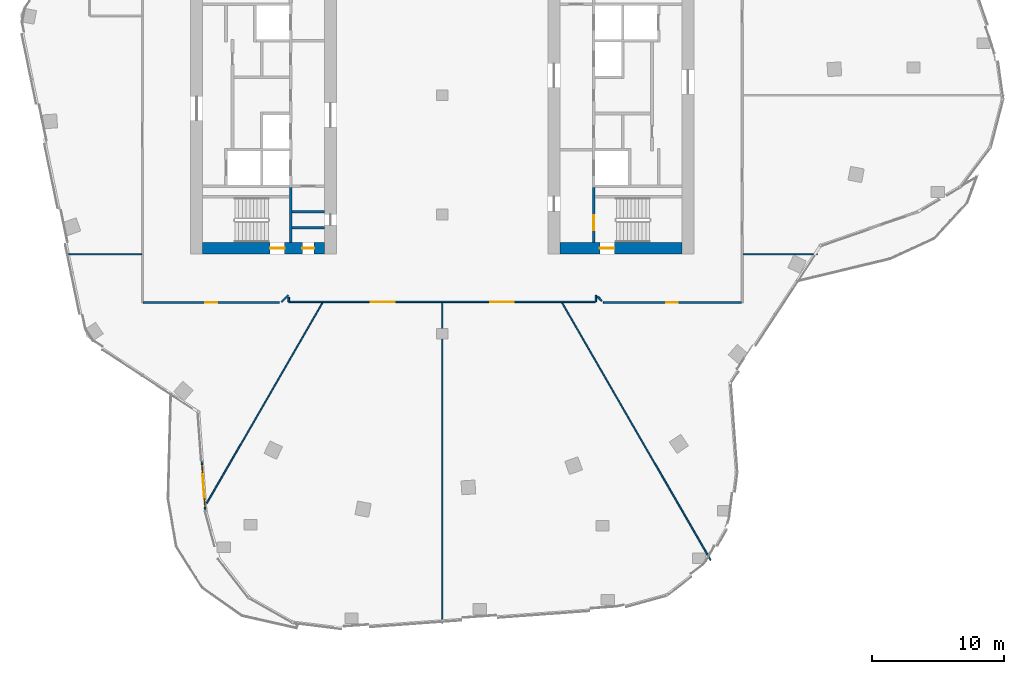
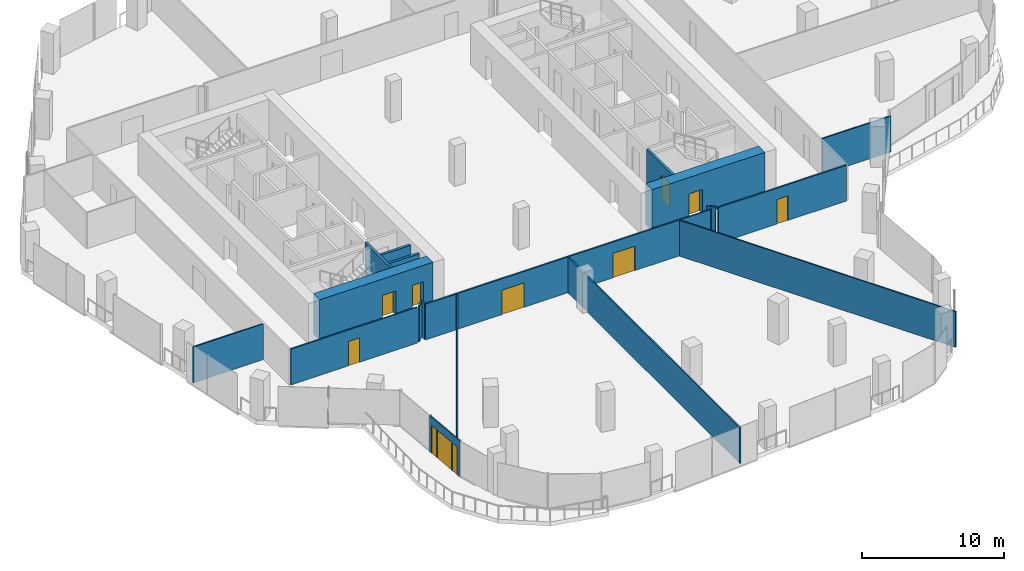
# One storey, part 17 of 26: 19 walls, 9 doors, 2 windows, 11 openings.
"""IFC4 building model written with IfcOpenShell, lengths in metres."""

from ifc_helpers import new_model, si_unit, direction, frame, frame_2d, origin, place, context, subcontext, project, spatial, rectangle, extrude, material, layer, layer_set, type_object, element, fill, save


model = new_model("IFC4")

# Units and contexts
model_context = context("Model", 3, precision=1e-05, world=origin(), true_north=direction((0.0, 1.0)))
body_context = subcontext(model_context, "Body", "Model", "MODEL_VIEW")
ifc_project = project(units=[si_unit("LENGTHUNIT", "METRE"), si_unit("AREAUNIT", "SQUARE_METRE"), si_unit("VOLUMEUNIT", "CUBIC_METRE"), si_unit("PLANEANGLEUNIT", "RADIAN"), si_unit("MASSUNIT", "GRAM", prefix="KILO")], contexts=[model_context])

# Site, building, storey
site_placement = place(None, origin())
site = spatial("IfcSite", under=ifc_project, at=site_placement, CompositionType="ELEMENT")
building_placement = place(site_placement, origin())
building = spatial("IfcBuilding", under=site, at=building_placement, Name="Orlundy Tower", CompositionType="ELEMENT")
storey_placement = place(building_placement, frame((0.0, 0.0, 232.0)))
storey = spatial("IfcBuildingStorey", under=building, at=storey_placement, Name="L61", CompositionType="ELEMENT", Elevation=232.0)

# Wall, openings, doors
ifc_material_1 = material(Name="Concrete C60/75", Category="concrete")
ifc_layer_1 = layer(ifc_material_1, 0.89990234375)
ifc_layer_set_1 = layer_set([ifc_layer_1], Name="CORE WALL 900 C60/75")
wall_type_1 = type_object("IfcWallType", Name="CORE WALL 900 C60/75", PredefinedType="SHEAR", material=ifc_layer_set_1)
wall_1_placement = place(storey_placement, frame((-18.10009765625, -11.550048828125, 0.0), z_axis=(0.0, 0.0, 1.0), x_axis=(1.0, 0.0, 0.0)))
wall_1 = element("IfcWall", 1, at=wall_1_placement, inside=storey, type_object=wall_type_1, Name="Core wall W-S L61", PredefinedType="SHEAR", context=body_context, shape_type="SweptSolid", body=[
    extrude(rectangle(XDim=9.2001953125, YDim=0.89990234375, at=frame_2d((4.60009765625, 0.0))), origin(), (0.0, 0.0, 1.0), 3.5),
])
opening_1_placement = place(wall_1_placement, frame((5.10009765625, 0.0, 0.0)))
opening_1 = element("IfcOpeningElement", 2, at=opening_1_placement, cuts=wall_1, Name="Opening 47012", PredefinedType="OPENING", context=body_context, shape_type="SweptSolid", body=[
    extrude(rectangle(XDim=1.10009765625, YDim=2.10009765625, at=frame_2d((0.550048828125, 1.050048828125))), frame((0.0, 0.4599609375, 0.0), z_axis=(0.0, -1.0, 0.0), x_axis=(1.0, 0.0, 0.0)), (0.0, 0.0, 1.0), 0.919921875),
])
opening_2_placement = place(wall_1_placement, frame((7.530029296875, 0.0, 0.0)))
opening_2 = element("IfcOpeningElement", 3, at=opening_2_placement, cuts=wall_1, Name="Opening 47014", PredefinedType="OPENING", context=body_context, shape_type="SweptSolid", body=[
    extrude(rectangle(XDim=0.89990234375, YDim=2.10009765625, at=frame_2d((0.449951171875, 1.050048828125))), frame((0.0, 0.4599609375, 0.0), z_axis=(0.0, -1.0, 0.0), x_axis=(1.0, 0.0, 0.0)), (0.0, 0.0, 1.0), 0.919921875),
])
ifc_material_2 = material(Name="Timber door set", Category="wood")
door_type_1 = type_object("IfcDoorType", Name="Room Door 900x2100", OperationType="SINGLE_SWING_LEFT", PredefinedType="DOOR", material=ifc_material_2)
door_1_placement = place(opening_2_placement, origin())
door_1 = element("IfcDoor", 4, at=door_1_placement, inside=storey, type_object=door_type_1, Name="Store door 47014", OperationType="SINGLE_SWING_RIGHT", OverallHeight=2.10009765625, OverallWidth=0.89990234375, PredefinedType="DOOR", context=body_context, shape_type="SweptSolid", body=[
    extrude(rectangle(XDim=0.89990234375, YDim=2.10009765625, at=frame_2d((0.449951171875, 1.050048828125))), frame((0.0, 0.02490234375, 0.0), z_axis=(0.0, -1.0, 0.0), x_axis=(1.0, 0.0, 0.0)), (0.0, 0.0, 1.0), 0.050048828125),
])
fill(opening_2, door_1)
ifc_material_3 = material(Name="Steel door set", Category="steel")
door_type_2 = type_object("IfcDoorType", Name="Stair Door 1100x2100", OperationType="SINGLE_SWING_LEFT", PredefinedType="DOOR", material=ifc_material_3)
door_2_placement = place(opening_1_placement, origin())
door_2 = element("IfcDoor", 5, at=door_2_placement, inside=storey, type_object=door_type_2, Name="Stair door 47012", OperationType="SINGLE_SWING_RIGHT", OverallHeight=2.10009765625, OverallWidth=1.10009765625, PredefinedType="DOOR", context=body_context, shape_type="SweptSolid", body=[
    extrude(rectangle(XDim=1.10009765625, YDim=2.10009765625, at=frame_2d((0.550048828125, 1.050048828125))), frame((0.0, 0.02490234375, 0.0), z_axis=(0.0, -1.0, 0.0), x_axis=(1.0, 0.0, 0.0)), (0.0, 0.0, 1.0), 0.050048828125),
])
fill(opening_1, door_2)

# Wall, opening, door
wall_2_placement = place(storey_placement, frame((8.89990234375, -11.550048828125, 0.0), z_axis=(0.0, 0.0, 1.0), x_axis=(1.0, 0.0, 0.0)))
wall_2 = element("IfcWall", 6, at=wall_2_placement, inside=storey, type_object=wall_type_1, Name="Core wall E-S L61", PredefinedType="SHEAR", context=body_context, shape_type="SweptSolid", body=[
    extrude(rectangle(XDim=9.2001953125, YDim=0.89990234375, at=frame_2d((4.60009765625, 0.0))), origin(), (0.0, 0.0, 1.0), 3.5),
])
opening_3_placement = place(wall_2_placement, frame((3.0, 0.0, 0.0)))
opening_3 = element("IfcOpeningElement", 7, at=opening_3_placement, cuts=wall_2, Name="Opening 47060", PredefinedType="OPENING", context=body_context, shape_type="SweptSolid", body=[
    extrude(rectangle(XDim=1.10009765625, YDim=2.10009765625, at=frame_2d((0.550048828125, 1.050048828125))), frame((0.0, 0.4599609375, 0.0), z_axis=(0.0, -1.0, 0.0), x_axis=(1.0, 0.0, 0.0)), (0.0, 0.0, 1.0), 0.919921875),
])
door_3_placement = place(opening_3_placement, origin())
door_3 = element("IfcDoor", 8, at=door_3_placement, inside=storey, type_object=door_type_2, Name="Stair door 47060", OperationType="SINGLE_SWING_LEFT", OverallHeight=2.10009765625, OverallWidth=1.10009765625, PredefinedType="DOOR", context=body_context, shape_type="SweptSolid", body=[
    extrude(rectangle(XDim=1.10009765625, YDim=2.10009765625, at=frame_2d((0.550048828125, 1.050048828125))), frame((0.0, 0.02490234375, 0.0), z_axis=(0.0, -1.0, 0.0), x_axis=(1.0, 0.0, 0.0)), (0.0, 0.0, 1.0), 0.050048828125),
])
fill(opening_3, door_3)

# Walls
ifc_material_4 = material(Name="Gypsum board partition")
ifc_layer_2 = layer(ifc_material_4, 0.10009765625)
ifc_layer_set_2 = layer_set([ifc_layer_2], Name="Floor partition 100")
wall_type_2 = type_object("IfcWallType", Name="Floor partition 100", PredefinedType="PARTITIONING", material=ifc_layer_set_2)
wall_3_placement = place(storey_placement, frame((9.05810546875, -15.68798828125, 0.0), z_axis=(0.0, 0.0, 1.0), x_axis=(0.499992863786, -0.86602952384, 0.0)))
element("IfcWall", 9, at=wall_3_placement, inside=storey, type_object=wall_type_2, Name="wall-int-L61-002", PredefinedType="PARTITIONING", context=body_context, shape_type="SweptSolid", body=[
    extrude(rectangle(XDim=22.429931640625, YDim=0.10009765625, at=frame_2d((11.21484375, 0.0))), origin(), (0.0, 0.0, 1.0), 3.080078125),
])
wall_4_placement = place(storey_placement, frame((-28.409912109375, -12.0, 0.0), z_axis=(0.0, 0.0, 1.0), x_axis=(1.0, 0.0, 0.0)))
element("IfcWall", 10, at=wall_4_placement, inside=storey, type_object=wall_type_2, Name="wall-int-L61-008", PredefinedType="PARTITIONING", context=body_context, shape_type="SweptSolid", body=[
    extrude(rectangle(XDim=5.697998046875, YDim=0.10009765625, at=frame_2d((2.84912109375, 0.0))), origin(), (0.0, 0.0, 1.0), 3.080078125),
])
wall_5_placement = place(storey_placement, frame((22.712890625, -12.0, 0.0), z_axis=(0.0, 0.0, 1.0), x_axis=(1.0, 0.0, 0.0)))
element("IfcWall", 11, at=wall_5_placement, inside=storey, type_object=wall_type_2, Name="wall-int-L61-009", PredefinedType="PARTITIONING", context=body_context, shape_type="SweptSolid", body=[
    extrude(rectangle(XDim=5.60009765625, YDim=0.10009765625, at=frame_2d((2.800048828125, 0.0))), origin(), (0.0, 0.0, 1.0), 3.080078125),
])
wall_6_placement = place(storey_placement, frame((-17.7890625, -30.81103515625, 0.0), z_axis=(0.0, 0.0, 1.0), x_axis=(0.499961262263, 0.866047767872, 0.0)))
element("IfcWall", 12, at=wall_6_placement, inside=storey, type_object=wall_type_2, Name="wall-int-L61-020", PredefinedType="PARTITIONING", context=body_context, shape_type="SweptSolid", body=[
    extrude(rectangle(XDim=17.46337890625, YDim=0.10009765625, at=frame_2d((8.731689453125, 0.0))), origin(), (0.0, 0.0, 1.0), 3.080078125),
])
wall_7_placement = place(storey_placement, frame((0.0, -39.85595703125, 0.0), z_axis=(0.0, 0.0, 1.0), x_axis=(0.0, 1.0, 0.0)))
element("IfcWall", 13, at=wall_7_placement, inside=storey, type_object=wall_type_2, Name="wall-int-L61-027", PredefinedType="PARTITIONING", context=body_context, shape_type="SweptSolid", body=[
    extrude(rectangle(XDim=24.19384765625, YDim=0.10009765625, at=frame_2d((12.096923828125, 0.0))), origin(), (0.0, 0.0, 1.0), 3.080078125),
])
ifc_material_5 = material(Name="Gypsum board partition, double layer")
ifc_layer_3 = layer(ifc_material_5, 0.125)
ifc_layer_set_3 = layer_set([ifc_layer_3], Name="Floor partition 125")
wall_type_3 = type_object("IfcWallType", Name="Floor partition 125", PredefinedType="PARTITIONING", material=ifc_layer_set_3)
wall_8_placement = place(storey_placement, frame((-11.60107421875, -15.241943359375, 0.0), z_axis=(0.0, 0.0, 1.0), x_axis=(0.002726642898, -0.999996282702, 0.0)))
element("IfcWall", 14, at=wall_8_placement, inside=storey, type_object=wall_type_3, Name="wall-int-L61-001", PredefinedType="PARTITIONING", context=body_context, shape_type="SweptSolid", body=[
    extrude(rectangle(XDim=0.358154296875, YDim=0.125, at=frame_2d((0.17919921875, 0.0))), origin(), (0.0, 0.0, 1.0), 3.080078125),
])
wall_9_placement = place(storey_placement, frame((11.72900390625, -15.20703125, 0.0), z_axis=(0.0, 0.0, 1.0), x_axis=(0.707106781187, -0.707106781187, 0.0)))
element("IfcWall", 15, at=wall_9_placement, inside=storey, type_object=wall_type_3, Name="wall-int-L61-003", PredefinedType="PARTITIONING", context=body_context, shape_type="SweptSolid", body=[
    extrude(rectangle(XDim=0.4482421875, YDim=0.125, at=frame_2d((0.22412109375, 0.0))), origin(), (0.0, 0.0, 1.0), 3.080078125),
])

# Wall, opening, door
wall_10_placement = place(storey_placement, frame((-12.31103515625, -15.65087890625, 0.0), z_axis=(0.0, 0.0, 1.0), x_axis=(-1.0, 0.0, 0.0)))
wall_10 = element("IfcWall", 16, at=wall_10_placement, inside=storey, type_object=wall_type_3, Name="wall-int-L61-005", PredefinedType="PARTITIONING", context=body_context, shape_type="SweptSolid", body=[
    extrude(rectangle(XDim=10.27587890625, YDim=0.125, at=frame_2d((5.137939453125, 0.0))), origin(), (0.0, 0.0, 1.0), 3.080078125),
])
opening_4_placement = place(wall_10_placement, frame((4.69921875, 0.0, 0.0)))
opening_4 = element("IfcOpeningElement", 17, at=opening_4_placement, cuts=wall_10, Name="Opening 47100", PredefinedType="OPENING", context=body_context, shape_type="SweptSolid", body=[
    extrude(rectangle(XDim=0.89990234375, YDim=2.10009765625, at=frame_2d((0.449951171875, 1.050048828125))), frame((0.0, 0.072509765625, 0.0), z_axis=(0.0, -1.0, 0.0), x_axis=(1.0, 0.0, 0.0)), (0.0, 0.0, 1.0), 0.14501953125),
])
ifc_material_6 = material(Name="Timber door leaf", Category="wood")
door_type_3 = type_object("IfcDoorType", Name="Floor door single 900 FD30S", OperationType="NOTDEFINED", PredefinedType="DOOR", material=ifc_material_6)
door_4_placement = place(opening_4_placement, origin())
door_4 = element("IfcDoor", 18, at=door_4_placement, inside=storey, type_object=door_type_3, Name="Door 47100", OperationType="SINGLE_SWING_RIGHT", OverallHeight=2.10009765625, OverallWidth=0.89990234375, PredefinedType="DOOR", context=body_context, shape_type="SweptSolid", body=[
    extrude(rectangle(XDim=0.89990234375, YDim=2.10009765625, at=frame_2d((0.449951171875, 1.050048828125))), frame((0.0, 0.02490234375, 0.0), z_axis=(0.0, -1.0, 0.0), x_axis=(1.0, 0.0, 0.0)), (0.0, 0.0, 1.0), 0.050048828125),
])
fill(opening_4, door_4)

wall_11_placement = place(storey_placement, frame((22.5869140625, -15.65087890625, 0.0), z_axis=(0.0, 0.0, 1.0), x_axis=(-1.0, 0.0, 0.0)))
wall_11 = element("IfcWall", 19, at=wall_11_placement, inside=storey, type_object=wall_type_3, Name="wall-int-L61-006", PredefinedType="PARTITIONING", context=body_context, shape_type="SweptSolid", body=[
    extrude(rectangle(XDim=10.427001953125, YDim=0.125, at=frame_2d((5.21337890625, 0.0))), origin(), (0.0, 0.0, 1.0), 3.080078125),
])
opening_5_placement = place(wall_11_placement, frame((4.78759765625, 0.0, 0.0)))
opening_5 = element("IfcOpeningElement", 20, at=opening_5_placement, cuts=wall_11, Name="Opening 47103", PredefinedType="OPENING", context=body_context, shape_type="SweptSolid", body=[
    extrude(rectangle(XDim=0.89990234375, YDim=2.10009765625, at=frame_2d((0.449951171875, 1.050048828125))), frame((0.0, 0.072509765625, 0.0), z_axis=(0.0, -1.0, 0.0), x_axis=(1.0, 0.0, 0.0)), (0.0, 0.0, 1.0), 0.14501953125),
])
door_5_placement = place(opening_5_placement, origin())
door_5 = element("IfcDoor", 21, at=door_5_placement, inside=storey, type_object=door_type_3, Name="Door 47103", OperationType="SINGLE_SWING_RIGHT", OverallHeight=2.10009765625, OverallWidth=0.89990234375, PredefinedType="DOOR", context=body_context, shape_type="SweptSolid", body=[
    extrude(rectangle(XDim=0.89990234375, YDim=2.10009765625, at=frame_2d((0.449951171875, 1.050048828125))), frame((0.0, 0.02490234375, 0.0), z_axis=(0.0, -1.0, 0.0), x_axis=(1.0, 0.0, 0.0)), (0.0, 0.0, 1.0), 0.050048828125),
])
fill(opening_5, door_5)

# Wall, openings, doors
wall_12_placement = place(storey_placement, frame((11.5390625, -15.60009765625, 0.0), z_axis=(0.0, 0.0, 1.0), x_axis=(-1.0, 0.0, 0.0)))
wall_12 = element("IfcWall", 22, at=wall_12_placement, inside=storey, type_object=wall_type_3, Name="wall-int-L61-007", PredefinedType="PARTITIONING", context=body_context, shape_type="SweptSolid", body=[
    extrude(rectangle(XDim=23.13916015625, YDim=0.125, at=frame_2d((11.569580078125, 0.0))), origin(), (0.0, 0.0, 1.0), 3.080078125),
])
opening_6_placement = place(wall_12_placement, frame((15.138427734375, 0.0, 0.0)))
opening_6 = element("IfcOpeningElement", 23, at=opening_6_placement, cuts=wall_12, Name="Opening 47101", PredefinedType="OPENING", context=body_context, shape_type="SweptSolid", body=[
    extrude(rectangle(XDim=1.800048828125, YDim=2.10009765625, at=frame_2d((0.89990234375, 1.050048828125))), frame((0.0, 0.072509765625, 0.0), z_axis=(0.0, -1.0, 0.0), x_axis=(1.0, 0.0, 0.0)), (0.0, 0.0, 1.0), 0.14501953125),
])
opening_7_placement = place(wall_12_placement, frame((6.131591796875, 0.0, 0.0)))
opening_7 = element("IfcOpeningElement", 24, at=opening_7_placement, cuts=wall_12, Name="Opening 47102", PredefinedType="OPENING", context=body_context, shape_type="SweptSolid", body=[
    extrude(rectangle(XDim=1.800048828125, YDim=2.10009765625, at=frame_2d((0.89990234375, 1.050048828125))), frame((0.0, 0.072509765625, 0.0), z_axis=(0.0, -1.0, 0.0), x_axis=(1.0, 0.0, 0.0)), (0.0, 0.0, 1.0), 0.14501953125),
])
ifc_material_7 = material(Name="Timber door leaf", Category="wood")
door_type_4 = type_object("IfcDoorType", Name="Floor door double 1800 FD30S", OperationType="NOTDEFINED", PredefinedType="DOOR", material=ifc_material_7)
door_6_placement = place(opening_6_placement, origin())
door_6 = element("IfcDoor", 25, at=door_6_placement, inside=storey, type_object=door_type_4, Name="Door 47101", OperationType="DOUBLE_DOOR_SINGLE_SWING", OverallHeight=2.10009765625, OverallWidth=1.800048828125, PredefinedType="DOOR", context=body_context, shape_type="SweptSolid", body=[
    extrude(rectangle(XDim=1.800048828125, YDim=2.10009765625, at=frame_2d((0.89990234375, 1.050048828125))), frame((0.0, 0.02490234375, 0.0), z_axis=(0.0, -1.0, 0.0), x_axis=(1.0, 0.0, 0.0)), (0.0, 0.0, 1.0), 0.050048828125),
])
fill(opening_6, door_6)
door_7_placement = place(opening_7_placement, origin())
door_7 = element("IfcDoor", 26, at=door_7_placement, inside=storey, type_object=door_type_4, Name="Door 47102", OperationType="DOUBLE_DOOR_SINGLE_SWING", OverallHeight=2.10009765625, OverallWidth=1.800048828125, PredefinedType="DOOR", context=body_context, shape_type="SweptSolid", body=[
    extrude(rectangle(XDim=1.800048828125, YDim=2.10009765625, at=frame_2d((0.89990234375, 1.050048828125))), frame((0.0, 0.02490234375, 0.0), z_axis=(0.0, -1.0, 0.0), x_axis=(1.0, 0.0, 0.0)), (0.0, 0.0, 1.0), 0.050048828125),
])
fill(opening_7, door_7)

# Walls
wall_13_placement = place(storey_placement, frame((-12.153076171875, -15.631103515625, 0.0), z_axis=(0.0, 0.0, 1.0), x_axis=(0.707106781187, 0.707106781187, 0.0)))
element("IfcWall", 27, at=wall_13_placement, inside=storey, type_object=wall_type_3, Name="wall-int-L61-018", PredefinedType="PARTITIONING", context=body_context, shape_type="SweptSolid", body=[
    extrude(rectangle(XDim=0.7509765625, YDim=0.125, at=frame_2d((0.37548828125, 0.0))), origin(), (0.0, 0.0, 1.0), 3.080078125),
])
wall_14_placement = place(storey_placement, frame((11.60107421875, -15.60009765625, 0.0), z_axis=(0.0, 0.0, 1.0), x_axis=(0.0, 1.0, 0.0)))
element("IfcWall", 28, at=wall_14_placement, inside=storey, type_object=wall_type_3, Name="wall-int-L61-024", PredefinedType="PARTITIONING", context=body_context, shape_type="SweptSolid", body=[
    extrude(rectangle(XDim=0.508056640625, YDim=0.125, at=frame_2d((0.25390625, 0.0))), origin(), (0.0, 0.0, 1.0), 3.080078125),
])

# Wall, openings, windows, door
ifc_material_8 = material(Name="Aluminium bronze and tinted glass", Category="aluminium")
ifc_layer_4 = layer(ifc_material_8, 0.10009765625)
ifc_layer_set_4 = layer_set([ifc_layer_4], Name="Glazed door screen")
wall_type_4 = type_object("IfcWallType", Name="Glazed door screen", PredefinedType="STANDARD", material=ifc_layer_set_4)
wall_15_placement = place(storey_placement, frame((-17.897216796875, -31.37451171875, 0.0), z_axis=(0.0, 0.0, 1.0), x_axis=(-0.072799499053, 0.997346596193, 0.0)))
wall_15 = element("IfcWall", 29, at=wall_15_placement, inside=storey, type_object=wall_type_4, Name="Glazed door screen", PredefinedType="STANDARD", context=body_context, shape_type="SweptSolid", body=[
    extrude(rectangle(XDim=3.732666015625, YDim=0.10009765625, at=frame_2d((1.8662109375, 0.0))), origin(), (0.0, 0.0, 1.0), 3.10009765625),
])
opening_8_placement = place(wall_15_placement, frame((0.96630859375, 0.0, 0.0)))
opening_8 = element("IfcOpeningElement", 30, at=opening_8_placement, cuts=wall_15, Name="Opening 47941", PredefinedType="OPENING", context=body_context, shape_type="SweptSolid", body=[
    extrude(rectangle(XDim=1.800048828125, YDim=2.39990234375, at=frame_2d((0.89990234375, 1.199951171875))), frame((0.0, 0.06005859375, 0.0), z_axis=(0.0, -1.0, 0.0), x_axis=(1.0, 0.0, 0.0)), (0.0, 0.0, 1.0), 0.1201171875),
])
opening_9_placement = place(wall_15_placement, frame((0.266357421875, 0.0, 0.0)))
opening_9 = element("IfcOpeningElement", 31, at=opening_9_placement, cuts=wall_15, Name="Opening W01", PredefinedType="OPENING", context=body_context, shape_type="SweptSolid", body=[
    extrude(rectangle(XDim=0.60009765625, YDim=2.39990234375, at=frame_2d((0.300048828125, 1.199951171875))), frame((0.0, 0.06005859375, 0.0), z_axis=(0.0, -1.0, 0.0), x_axis=(1.0, 0.0, 0.0)), (0.0, 0.0, 1.0), 0.1201171875),
])
opening_10_placement = place(wall_15_placement, frame((2.8662109375, 0.0, 0.0)))
opening_10 = element("IfcOpeningElement", 32, at=opening_10_placement, cuts=wall_15, Name="Opening W01", PredefinedType="OPENING", context=body_context, shape_type="SweptSolid", body=[
    extrude(rectangle(XDim=0.60009765625, YDim=2.39990234375, at=frame_2d((0.300048828125, 1.199951171875))), frame((0.0, 0.06005859375, 0.0), z_axis=(0.0, -1.0, 0.0), x_axis=(1.0, 0.0, 0.0)), (0.0, 0.0, 1.0), 0.1201171875),
])
ifc_material_9 = material(Name="Tinted glass in bronze aluminium frame", Category="aluminium")
window_type = type_object("IfcWindowType", Name="SL1 sidelight 600x2400", PartitioningType="SINGLE_PANEL", PredefinedType="WINDOW", material=ifc_material_9)
window_1_placement = place(opening_9_placement, origin())
window_1 = element("IfcWindow", 33, at=window_1_placement, inside=storey, type_object=window_type, Name="Window W01 L61", OverallHeight=2.39990234375, OverallWidth=0.60009765625, PartitioningType="SINGLE_PANEL", PredefinedType="WINDOW", context=body_context, shape_type="SweptSolid", body=[
    extrude(rectangle(XDim=0.60009765625, YDim=2.39990234375, at=frame_2d((0.300048828125, 1.199951171875))), frame((0.0, 0.030029296875, 0.0), z_axis=(0.0, -1.0, 0.0), x_axis=(1.0, 0.0, 0.0)), (0.0, 0.0, 1.0), 0.06005859375),
])
fill(opening_9, window_1)
window_2_placement = place(opening_10_placement, origin())
window_2 = element("IfcWindow", 34, at=window_2_placement, inside=storey, type_object=window_type, Name="Window W01 L61", OverallHeight=2.39990234375, OverallWidth=0.60009765625, PartitioningType="SINGLE_PANEL", PredefinedType="WINDOW", context=body_context, shape_type="SweptSolid", body=[
    extrude(rectangle(XDim=0.60009765625, YDim=2.39990234375, at=frame_2d((0.300048828125, 1.199951171875))), frame((0.0, 0.030029296875, 0.0), z_axis=(0.0, -1.0, 0.0), x_axis=(1.0, 0.0, 0.0)), (0.0, 0.0, 1.0), 0.06005859375),
])
fill(opening_10, window_2)
ifc_material_10 = material(Name="Aluminium bronze and tinted glass", Category="aluminium")
door_type_5 = type_object("IfcDoorType", Name="TD1 terrace door 1800x2400", OperationType="NOTDEFINED", PredefinedType="DOOR", material=ifc_material_10)
door_8_placement = place(opening_8_placement, origin())
door_8 = element("IfcDoor", 35, at=door_8_placement, inside=storey, type_object=door_type_5, Name="Door 47941", OperationType="DOUBLE_DOOR_SINGLE_SWING", OverallHeight=2.39990234375, OverallWidth=1.800048828125, PredefinedType="DOOR", context=body_context, shape_type="SweptSolid", body=[
    extrude(rectangle(XDim=1.800048828125, YDim=2.39990234375, at=frame_2d((0.89990234375, 1.199951171875))), frame((0.0, 0.02490234375, 0.0), z_axis=(0.0, -1.0, 0.0), x_axis=(1.0, 0.0, 0.0)), (0.0, 0.0, 1.0), 0.050048828125),
])
fill(opening_8, door_8)

# Wall
ifc_material_11 = material(Name="Concrete C40/50", Category="concrete")
ifc_layer_5 = layer(ifc_material_11, 0.199951171875)
ifc_layer_set_5 = layer_set([ifc_layer_5], Name="Load-bearing Shaft Wall 200")
wall_type_5 = type_object("IfcWallType", Name="Load-bearing Shaft Wall 200", PredefinedType="SOLIDWALL", material=ifc_layer_set_5)
wall_16_placement = place(storey_placement, frame((-11.43994140625, -11.10009765625, 0.0), z_axis=(0.0, 0.0, 1.0), x_axis=(0.0, 1.0, 0.0)))
element("IfcWall", 36, at=wall_16_placement, inside=storey, type_object=wall_type_5, Name="Shaft wall W47-stair-end-s", PredefinedType="SOLIDWALL", context=body_context, shape_type="SweptSolid", body=[
    extrude(rectangle(XDim=4.125, YDim=0.199951171875, at=frame_2d((2.0625, 0.0))), origin(), (0.0, 0.0, 1.0), 3.090087890625),
])

# Wall, opening, door
wall_17_placement = place(storey_placement, frame((11.43994140625, -6.97509765625, 0.0), z_axis=(0.0, 0.0, 1.0), x_axis=(0.0, -1.0, 0.0)))
wall_17 = element("IfcWall", 37, at=wall_17_placement, inside=storey, type_object=wall_type_5, Name="Shaft wall E47-stair-end-n", PredefinedType="SOLIDWALL", context=body_context, shape_type="SweptSolid", body=[
    extrude(rectangle(XDim=4.125, YDim=0.199951171875, at=frame_2d((2.0625, 0.0))), origin(), (0.0, 0.0, 1.0), 3.090087890625),
])
opening_11_placement = place(wall_17_placement, frame((2.10009765625, 0.0, 0.0)))
opening_11 = element("IfcOpeningElement", 38, at=opening_11_placement, cuts=wall_17, Name="Opening 47062", PredefinedType="OPENING", context=body_context, shape_type="SweptSolid", body=[
    extrude(rectangle(XDim=1.10009765625, YDim=2.10009765625, at=frame_2d((0.550048828125, 1.050048828125))), frame((0.0, 0.110107421875, 0.0), z_axis=(0.0, -1.0, 0.0), x_axis=(1.0, 0.0, 0.0)), (0.0, 0.0, 1.0), 0.22021484375),
])
ifc_material_12 = material(Name="Steel door set", Category="steel")
door_type_6 = type_object("IfcDoorType", Name="Fire-fighting Lobby Door 1100x2100", OperationType="SINGLE_SWING_LEFT", PredefinedType="DOOR", material=ifc_material_12)
door_9_placement = place(opening_11_placement, origin())
door_9 = element("IfcDoor", 39, at=door_9_placement, inside=storey, type_object=door_type_6, Name="Fire-fighting lobby to stair door 47062", OperationType="SINGLE_SWING_RIGHT", OverallHeight=2.10009765625, OverallWidth=1.10009765625, PredefinedType="DOOR", context=body_context, shape_type="SweptSolid", body=[
    extrude(rectangle(XDim=1.10009765625, YDim=2.10009765625, at=frame_2d((0.550048828125, 1.050048828125))), frame((0.0, 0.02490234375, 0.0), z_axis=(0.0, -1.0, 0.0), x_axis=(1.0, 0.0, 0.0)), (0.0, 0.0, 1.0), 0.050048828125),
])
fill(opening_11, door_9)

# Walls
ifc_material_13 = material(Name="Gypsum board partition on steel studs", Category="steel")
ifc_layer_6 = layer(ifc_material_13, 0.199951171875)
ifc_layer_set_6 = layer_set([ifc_layer_6], Name="Partition 200")
wall_type_6 = type_object("IfcWallType", Name="Partition 200", PredefinedType="PARTITIONING", material=ifc_layer_set_6)
for number, where, z_axis, x_axis, name in (
    (40, (-8.89990234375, -10.0, 0.0), (0.0, 0.0, 1.0), (-1.0, 0.0, 0.0), "Partition wall W47-room-s0"),
    (41, (-8.89990234375, -8.800048828125, 0.0), (0.0, 0.0, 1.0), (-1.0, 0.0, 0.0), "Partition wall W47-room-s1"),
):
    element("IfcWall", number, at=place(storey_placement, frame(where, z_axis=z_axis, x_axis=x_axis)), inside=storey, type_object=wall_type_6, Name=name, PredefinedType="PARTITIONING", context=body_context, shape_type="SweptSolid", body=[
        extrude(rectangle(XDim=2.440185546875, YDim=0.199951171875, at=frame_2d((1.22021484375, 0.0))), origin(), (0.0, 0.0, 1.0), 3.090087890625),
    ])

save(model, "model.ifc")
